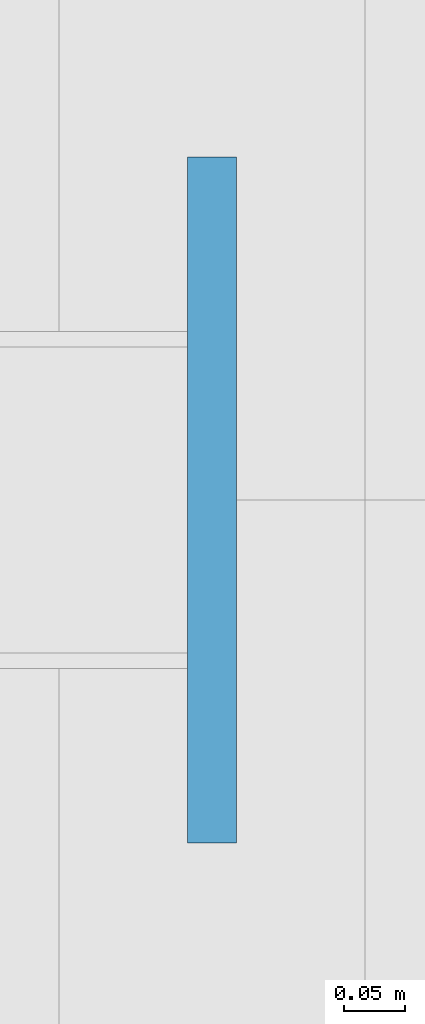
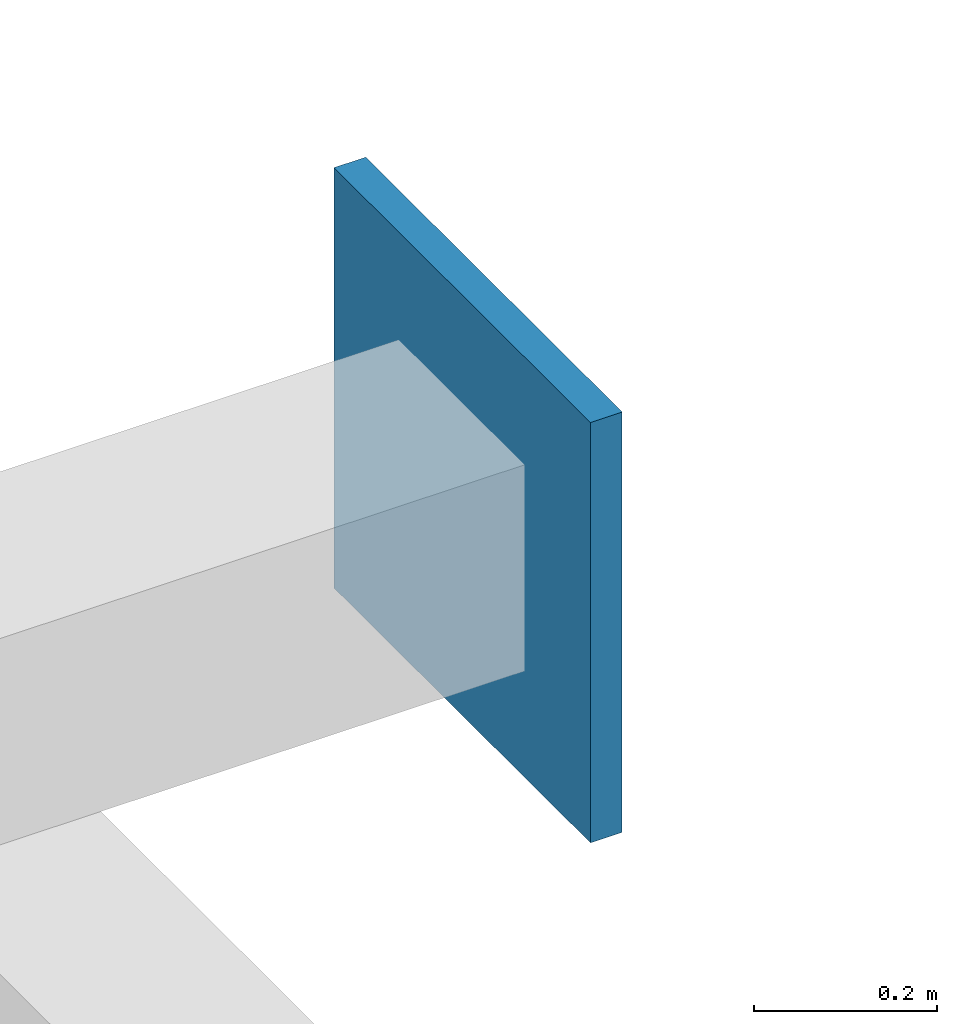
# One storey, part 48 of 59: 1 plate.
"""IFC4 building model written with IfcOpenShell, lengths in metres."""

from ifc_helpers import new_model, si_unit, direction, frame, origin, origin_2d, place, context, subcontext, project, spatial, rectangle, extrude, source, transform, mapped, material, layer, layer_set, type_object, element, save


model = new_model("IFC4")

# Units and contexts
model_context = context("Model", 3, precision=1e-05, world=origin(), true_north=direction((0.0, 1.0)))
body_context = subcontext(model_context, "Body", "Model", "MODEL_VIEW")
ifc_project = project(units=[si_unit("LENGTHUNIT", "METRE"), si_unit("AREAUNIT", "SQUARE_METRE"), si_unit("VOLUMEUNIT", "CUBIC_METRE"), si_unit("PLANEANGLEUNIT", "RADIAN"), si_unit("MASSUNIT", "GRAM", prefix="KILO")], contexts=[model_context])

# Site, building, storey
site_placement = place(None, origin())
site = spatial("IfcSite", under=ifc_project, at=site_placement, CompositionType="ELEMENT")
building_placement = place(site_placement, origin())
building = spatial("IfcBuilding", under=site, at=building_placement, Name="Taldren Reach Tower", CompositionType="ELEMENT")
storey_placement = place(building_placement, frame((0.0, 0.0, 26.25)))
storey = spatial("IfcBuildingStorey", under=building, at=storey_placement, Name="L07", CompositionType="ELEMENT", Elevation=26.25)

# Plate
ifc_material = material(Name="Steel Gr 450 (C450L0)", Category="steel")
ifc_layer = layer(ifc_material, 0.0400390625)
ifc_layer_set = layer_set([ifc_layer], Name="Steel Gr 450 (C450L0)")
plate_type = type_object("IfcPlateType", Name="PL-GUSSET-40", PredefinedType="SHEET", material=ifc_layer_set)
shared_shape = source(origin(), body_context, "Body", "SweptSolid", [
    extrude(rectangle(XDim=0.56005859375, YDim=0.0400390625, at=origin_2d()), origin(), (0.0, 0.0, 1.0), 0.56005859375),
])
plate_placement = place(storey_placement, frame((65.89990234375, 20.0, 2.369873046875), z_axis=(0.0, 0.0, 1.0), x_axis=(0.0, 1.0, 0.0)))
element("IfcPlate", 1, at=plate_placement, inside=storey, type_object=plate_type, Name="Exoskeleton star-node gusset plate B1-E2 L07", PredefinedType="SHEET", context=body_context, shape_type="MappedRepresentation", body=[
    mapped(shared_shape, transform((0.0, 0.0, 0.0), scale=1.0)),
])

save(model, "model.ifc")
